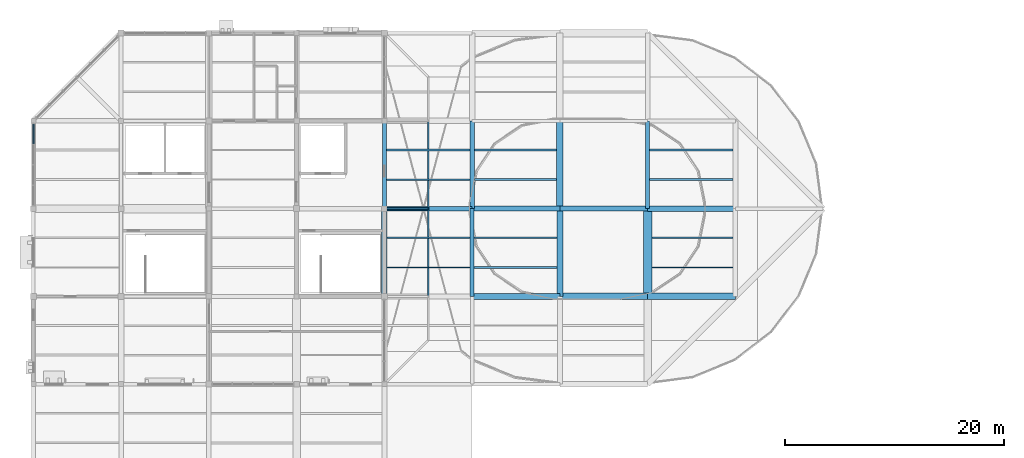
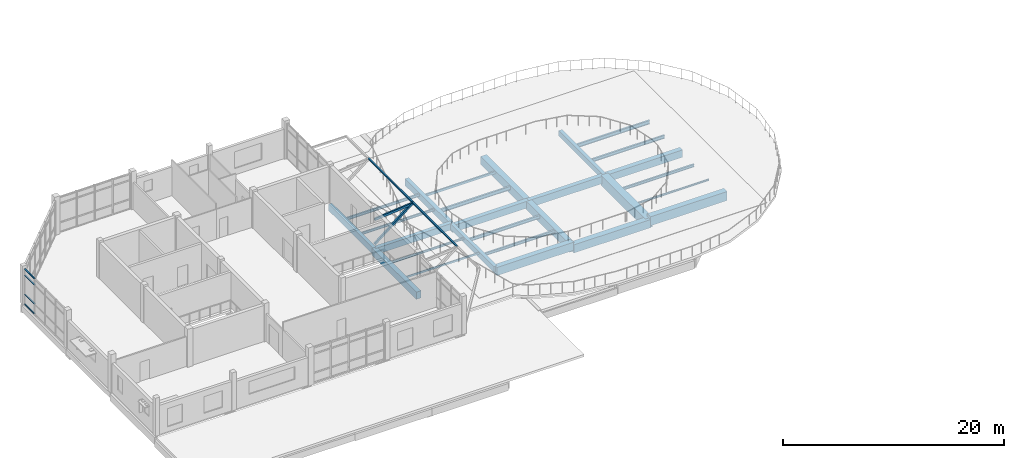
# One storey, part 15 of 44: 28 beams, 7 members, 1 element without a shape of its own.
"""IFC4 building model written with IfcOpenShell, lengths in metres."""

from ifc_helpers import new_model, si_unit, direction, frame, origin, origin_2d, place, context, subcontext, project, spatial, rectangle, hollow_rectangle, i_section, extrude, material, material_profile, profile_set, type_object, element, aggregate, save


model = new_model("IFC4")

# Units and contexts
model_context = context("Model", 3, precision=1e-05, world=origin(), true_north=direction((0.0, 1.0)))
body_context = subcontext(model_context, "Body", "Model", "MODEL_VIEW")
ifc_project = project(units=[si_unit("LENGTHUNIT", "METRE"), si_unit("AREAUNIT", "SQUARE_METRE"), si_unit("VOLUMEUNIT", "CUBIC_METRE"), si_unit("PLANEANGLEUNIT", "RADIAN"), si_unit("MASSUNIT", "GRAM", prefix="KILO")], contexts=[model_context])

# Site, building, storey
site_placement = place(None, origin())
site = spatial("IfcSite", under=ifc_project, at=site_placement, CompositionType="ELEMENT")
building_placement = place(site_placement, origin())
building = spatial("IfcBuilding", under=site, at=building_placement, Name="Tenunan Teduh Sports Hall", CompositionType="ELEMENT")
storey_placement = place(building_placement, frame((0.0, 0.0, 19.199951171875)))
storey = spatial("IfcBuildingStorey", under=building, at=storey_placement, Name="L04", CompositionType="ELEMENT", Elevation=19.199951171875)

# Beams
ifc_material_1 = material(Name="Concrete C40/50", Category="concrete")
ifc_material_profile_1 = material_profile(ifc_material_1, rectangle(XDim=0.35009765625, YDim=0.60009765625, at=origin_2d()), Name="RCB 350x600")
ifc_profile_set_1 = profile_set([ifc_material_profile_1], Name="Concrete C40/50")
beam_type_1 = type_object("IfcBeamType", Name="BM-RC-350x600", PredefinedType="BEAM", material=ifc_profile_set_1)
beam_1_placement = place(storey_placement, frame((62.0, 102.0, -0.869873046875), z_axis=(0.0, 1.0, 0.0), x_axis=(-1.0, 0.0, 0.0)))
element("IfcBeam", 1, at=beam_1_placement, inside=storey, type_object=beam_type_1, Name="BM-B-04-L04-2106", PredefinedType="BEAM", context=body_context, shape_type="SweptSolid", body=[
    extrude(rectangle(XDim=0.35009765625, YDim=0.60009765625, at=origin_2d()), origin(), (0.0, 0.0, 1.0), 8.0),
])
ifc_material_2 = material(Name="Concrete C40/50", Category="concrete")
ifc_material_profile_2 = material_profile(ifc_material_2, rectangle(XDim=0.35009765625, YDim=0.64990234375, at=origin_2d()), Name="RCB 350x650")
ifc_profile_set_2 = profile_set([ifc_material_profile_2], Name="Concrete C40/50")
beam_type_2 = type_object("IfcBeamType", Name="BM-RC-350x650", PredefinedType="BEAM", material=ifc_profile_set_2)
beam_2_placement = place(storey_placement, frame((46.0, 94.0, -0.594970703125), z_axis=(0.0, 1.0, 0.0), x_axis=(-1.0, 0.0, 0.0)))
element("IfcBeam", 2, at=beam_2_placement, inside=storey, type_object=beam_type_2, Name="BM-B-05-L04-2093", PredefinedType="BEAM", context=body_context, shape_type="SweptSolid", body=[
    extrude(rectangle(XDim=0.35009765625, YDim=0.64990234375, at=origin_2d()), origin(), (0.0, 0.0, 1.0), 8.0),
])
ifc_material_3 = material(Name="Concrete C40/50", Category="concrete")
ifc_material_profile_3 = material_profile(ifc_material_3, rectangle(XDim=0.39990234375, YDim=0.699951171875, at=origin_2d()), Name="RCB 400x700")
ifc_profile_set_3 = profile_set([ifc_material_profile_3], Name="Concrete C40/50")
beam_type_3 = type_object("IfcBeamType", Name="BM-RC-400x700", PredefinedType="BEAM", material=ifc_profile_set_3)
beam_3_placement = place(storey_placement, frame((38.0, 102.0, -0.619873046875), z_axis=(1.0, 0.0, 0.0), x_axis=(0.0, 1.0, 0.0)))
element("IfcBeam", 3, at=beam_3_placement, inside=storey, type_object=beam_type_3, Name="BM-B-08-L04-2045", PredefinedType="BEAM", context=body_context, shape_type="SweptSolid", body=[
    extrude(rectangle(XDim=0.39990234375, YDim=0.699951171875, at=origin_2d()), origin(), (0.0, 0.0, 1.0), 8.0),
])
ifc_material_4 = material(Name="Concrete C40/50", Category="concrete")
ifc_material_profile_4 = material_profile(ifc_material_4, rectangle(XDim=0.39990234375, YDim=0.75, at=origin_2d()), Name="RCB 400x750")
ifc_profile_set_4 = profile_set([ifc_material_profile_4], Name="Concrete C40/50")
beam_type_4 = type_object("IfcBeamType", Name="BM-RC-400x750", PredefinedType="BEAM", material=ifc_profile_set_4)
beam_4_placement = place(storey_placement, frame((46.0, 102.0, -0.64501953125), z_axis=(0.0, 1.0, 0.0), x_axis=(-1.0, 0.0, 0.0)))
element("IfcBeam", 4, at=beam_4_placement, inside=storey, type_object=beam_type_4, Name="BM-B-09-L04-2094", PredefinedType="BEAM", context=body_context, shape_type="SweptSolid", body=[
    extrude(rectangle(XDim=0.39990234375, YDim=0.75, at=origin_2d()), origin(), (0.0, 0.0, 1.0), 8.0),
])
ifc_material_5 = material(Name="Concrete C40/50", Category="concrete")
ifc_material_profile_5 = material_profile(ifc_material_5, rectangle(XDim=0.449951171875, YDim=0.75, at=origin_2d()), Name="RCB 450x750")
ifc_profile_set_5 = profile_set([ifc_material_profile_5], Name="Concrete C40/50")
beam_type_5 = type_object("IfcBeamType", Name="BM-RC-450x750", PredefinedType="BEAM", material=ifc_profile_set_5)
beam_5_placement = place(storey_placement, frame((46.0, 102.0, -0.945068359375), z_axis=(1.0, 0.0, 0.0), x_axis=(0.0, 1.0, 0.0)))
element("IfcBeam", 5, at=beam_5_placement, inside=storey, type_object=beam_type_5, Name="BM-B-11-L04-2046", PredefinedType="BEAM", context=body_context, shape_type="SweptSolid", body=[
    extrude(rectangle(XDim=0.449951171875, YDim=0.75, at=origin_2d()), origin(), (0.0, 0.0, 1.0), 8.0),
])
ifc_material_6 = material(Name="Concrete C40/50", Category="concrete")
ifc_material_profile_6 = material_profile(ifc_material_6, rectangle(XDim=0.449951171875, YDim=0.800048828125, at=origin_2d()), Name="RCB 450x800")
ifc_profile_set_6 = profile_set([ifc_material_profile_6], Name="Concrete C40/50")
beam_type_6 = type_object("IfcBeamType", Name="BM-RC-450x800", PredefinedType="BEAM", material=ifc_profile_set_6)
beam_6_placement = place(storey_placement, frame((54.0, 102.0, -0.969970703125), z_axis=(1.0, 0.0, 0.0), x_axis=(0.0, 1.0, 0.0)))
element("IfcBeam", 6, at=beam_6_placement, inside=storey, type_object=beam_type_6, Name="BM-B-12-L04-2047", PredefinedType="BEAM", context=body_context, shape_type="SweptSolid", body=[
    extrude(rectangle(XDim=0.449951171875, YDim=0.800048828125, at=origin_2d()), origin(), (0.0, 0.0, 1.0), 8.0),
])
ifc_material_7 = material(Name="Concrete C40/50", Category="concrete")
ifc_material_profile_7 = material_profile(ifc_material_7, rectangle(XDim=0.5, YDim=0.800048828125, at=origin_2d()), Name="RCB 500x800")
ifc_profile_set_7 = profile_set([ifc_material_profile_7], Name="Concrete C40/50")
beam_type_7 = type_object("IfcBeamType", Name="BM-RC-500x800", PredefinedType="BEAM", material=ifc_profile_set_7)
for number, where, z_axis, x_axis, name in (
    (7, (62.0, 102.0, -0.969970703125), (1.0, 0.0, 0.0), (0.0, 1.0, 0.0), "BM-B-14-L04-2048"),
    (8, (38.0, 94.0, -0.669921875), (0.0, 1.0, 0.0), (-1.0, 0.0, 0.0), "BM-B-14-L04-2089"),
):
    element("IfcBeam", number, at=place(storey_placement, frame(where, z_axis=z_axis, x_axis=x_axis)), inside=storey, type_object=beam_type_7, Name=name, PredefinedType="BEAM", context=body_context, shape_type="SweptSolid", body=[
        extrude(rectangle(XDim=0.5, YDim=0.800048828125, at=origin_2d()), origin(), (0.0, 0.0, 1.0), 8.0),
    ])
ifc_material_8 = material(Name="Concrete C40/50", Category="concrete")
ifc_material_profile_8 = material_profile(ifc_material_8, rectangle(XDim=0.550048828125, YDim=0.89990234375, at=origin_2d()), Name="RCB 550x900")
ifc_profile_set_8 = profile_set([ifc_material_profile_8], Name="Concrete C40/50")
beam_type_8 = type_object("IfcBeamType", Name="BM-RC-550x900", PredefinedType="BEAM", material=ifc_profile_set_8)
for number, where, z_axis, x_axis, name in (
    (9, (46.0, 94.0, -0.719970703125), (1.0, 0.0, 0.0), (0.0, 1.0, 0.0), "BM-B-16-L04-2038"),
    (10, (54.0, 94.0, -1.02001953125), (0.0, 1.0, 0.0), (-1.0, 0.0, 0.0), "BM-B-16-L04-2101"),
):
    element("IfcBeam", number, at=place(storey_placement, frame(where, z_axis=z_axis, x_axis=x_axis)), inside=storey, type_object=beam_type_8, Name=name, PredefinedType="BEAM", context=body_context, shape_type="SweptSolid", body=[
        extrude(rectangle(XDim=0.550048828125, YDim=0.89990234375, at=origin_2d()), origin(), (0.0, 0.0, 1.0), 8.0),
    ])
ifc_material_9 = material(Name="Concrete C40/50", Category="concrete")
ifc_material_profile_9 = material_profile(ifc_material_9, rectangle(XDim=0.60009765625, YDim=1.0, at=origin_2d()), Name="RCB 600x1000")
ifc_profile_set_9 = profile_set([ifc_material_profile_9], Name="Concrete C40/50")
beam_type_9 = type_object("IfcBeamType", Name="BM-RC-600x1000", PredefinedType="BEAM", material=ifc_profile_set_9)
beam_7_placement = place(storey_placement, frame((62.0, 94.0, -0.77001953125), z_axis=(1.0, 0.0, 0.0), x_axis=(0.0, 1.0, 0.0)))
element("IfcBeam", 11, at=beam_7_placement, inside=storey, type_object=beam_type_9, Name="BM-B-18-L04-2040", PredefinedType="BEAM", context=body_context, shape_type="SweptSolid", body=[
    extrude(rectangle(XDim=0.60009765625, YDim=1.0, at=origin_2d()), origin(), (0.0, 0.0, 1.0), 8.0),
])
ifc_material_10 = material(Name="Concrete C40/50", Category="concrete")
ifc_material_profile_10 = material_profile(ifc_material_10, rectangle(XDim=0.60009765625, YDim=0.89990234375, at=origin_2d()), Name="RCB 600x900")
ifc_profile_set_10 = profile_set([ifc_material_profile_10], Name="Concrete C40/50")
beam_type_10 = type_object("IfcBeamType", Name="BM-RC-600x900", PredefinedType="BEAM", material=ifc_profile_set_10)
for number, where, z_axis, x_axis, name in (
    (12, (54.0, 94.0, -1.02001953125), (1.0, 0.0, 0.0), (0.0, 1.0, 0.0), "BM-B-17-L04-2039"),
    (13, (54.0, 102.0, -1.02001953125), (0.0, 1.0, 0.0), (-1.0, 0.0, 0.0), "BM-B-17-L04-2102"),
):
    element("IfcBeam", number, at=place(storey_placement, frame(where, z_axis=z_axis, x_axis=x_axis)), inside=storey, type_object=beam_type_10, Name=name, PredefinedType="BEAM", context=body_context, shape_type="SweptSolid", body=[
        extrude(rectangle(XDim=0.60009765625, YDim=0.89990234375, at=origin_2d()), origin(), (0.0, 0.0, 1.0), 8.0),
    ])
ifc_material_11 = material(Name="Concrete C40/50", Category="concrete")
ifc_material_profile_11 = material_profile(ifc_material_11, rectangle(XDim=0.75, YDim=1.10009765625, at=origin_2d()), Name="RCB 750x1100")
ifc_profile_set_11 = profile_set([ifc_material_profile_11], Name="Concrete C40/50")
beam_type_11 = type_object("IfcBeamType", Name="BM-RC-750x1100", PredefinedType="SPANDREL", material=ifc_profile_set_11)
beam_8_placement = place(storey_placement, frame((62.0, 94.0, -1.119873046875), z_axis=(0.0, 1.0, 0.0), x_axis=(-1.0, 0.0, 0.0)))
element("IfcBeam", 14, at=beam_8_placement, inside=storey, type_object=beam_type_11, Name="BM-B-20-L04-2105", PredefinedType="SPANDREL", context=body_context, shape_type="SweptSolid", body=[
    extrude(rectangle(XDim=0.75, YDim=1.10009765625, at=origin_2d()), origin(), (0.0, 0.0, 1.0), 8.0),
])
ifc_material_12 = material(Name="Concrete C40/50", Category="concrete")
ifc_material_profile_12 = material_profile(ifc_material_12, rectangle(XDim=0.35009765625, YDim=0.719970703125, at=origin_2d()), Name="TB 350x720")
ifc_profile_set_12 = profile_set([ifc_material_profile_12], Name="Concrete C40/50")
beam_type_12 = type_object("IfcBeamType", Name="BM-TB-350x720", PredefinedType="T_BEAM", material=ifc_profile_set_12)
beam_9_placement = place(storey_placement, frame((38.0, 102.0, -0.6298828125), z_axis=(0.0, 1.0, 0.0), x_axis=(-1.0, 0.0, 0.0)))
element("IfcBeam", 15, at=beam_9_placement, inside=storey, type_object=beam_type_12, Name="BM-TB-01-L04-2090", PredefinedType="T_BEAM", context=body_context, shape_type="SweptSolid", body=[
    extrude(rectangle(XDim=0.35009765625, YDim=0.719970703125, at=origin_2d()), origin(), (0.0, 0.0, 1.0), 8.0),
])

# Curtain wall, members
ifc_material_13 = material(Name="Anodised aluminium", Category="aluminium")
curtain_wall_type = type_object("IfcCurtainWallType", Name="CW-UNIT-2", PredefinedType="NOTDEFINED", material=ifc_material_13)
curtain_wall_placement = place(storey_placement, origin())
curtain_wall = element("IfcCurtainWall", 16, at=curtain_wall_placement, inside=storey, type_object=curtain_wall_type, Name="CW-CWM-175-L04-234", PredefinedType="NOTDEFINED")
ifc_material_14 = material(Name="Anodised aluminium", Category="aluminium")
ifc_material_profile_13 = material_profile(ifc_material_14, rectangle(XDim=0.06494140625, YDim=0.139892578125, at=origin_2d()), Name="CWT 65x140")
ifc_profile_set_13 = profile_set([ifc_material_profile_13], Name="Anodised aluminium")
member_type_1 = type_object("IfcMemberType", Name="CWT-150", PredefinedType="USERDEFINED", material=ifc_profile_set_13)
member_1_placement = place(storey_placement, frame((6.0, 107.92626953125, 0.032470703125), z_axis=(0.0, 1.0, 0.0), x_axis=(0.0, 0.0, 1.0)))
member_1 = element("IfcMember", 17, at=member_1_placement, type_object=member_type_1, Name="CW-02 transom 4.1", ObjectType="TRANSOM", PredefinedType="USERDEFINED", context=body_context, shape_type="SweptSolid", body=[
    extrude(rectangle(XDim=0.06494140625, YDim=0.139892578125, at=origin_2d()), origin(), (0.0, 0.0, 1.0), 1.78369140625),
])
member_2_placement = place(storey_placement, frame((6.0, 107.92626953125, 1.10009765625), z_axis=(0.0, 1.0, 0.0), x_axis=(0.0, 0.0, 1.0)))
member_2 = element("IfcMember", 18, at=member_2_placement, type_object=member_type_1, Name="CW-02 transom 4.2", ObjectType="TRANSOM", PredefinedType="USERDEFINED", context=body_context, shape_type="SweptSolid", body=[
    extrude(rectangle(XDim=0.06494140625, YDim=0.139892578125, at=origin_2d()), origin(), (0.0, 0.0, 1.0), 1.78369140625),
])
member_3_placement = place(storey_placement, frame((6.0, 107.92626953125, 3.199951171875), z_axis=(0.0, 1.0, 0.0), x_axis=(0.0, 0.0, 1.0)))
member_3 = element("IfcMember", 19, at=member_3_placement, type_object=member_type_1, Name="CW-02 transom 4.3", ObjectType="TRANSOM", PredefinedType="USERDEFINED", context=body_context, shape_type="SweptSolid", body=[
    extrude(rectangle(XDim=0.06494140625, YDim=0.139892578125, at=origin_2d()), origin(), (0.0, 0.0, 1.0), 1.78369140625),
])
member_4_placement = place(storey_placement, frame((6.0, 107.92626953125, 3.887451171875), z_axis=(0.0, 1.0, 0.0), x_axis=(0.0, 0.0, 1.0)))
member_4 = element("IfcMember", 20, at=member_4_placement, type_object=member_type_1, Name="CW-02 transom 4.4", ObjectType="TRANSOM", PredefinedType="USERDEFINED", context=body_context, shape_type="SweptSolid", body=[
    extrude(rectangle(XDim=0.06494140625, YDim=0.139892578125, at=origin_2d()), origin(), (0.0, 0.0, 1.0), 1.78369140625),
])
aggregate(curtain_wall, [member_1, member_2, member_3, member_4])

# Beams
ifc_material_15 = material(Name="Steel S355", Category="steel")
ifc_material_profile_14 = material_profile(ifc_material_15, i_section(OverallWidth=0.10009765625, OverallDepth=0.199951171875, WebThickness=0.005615234375, FlangeThickness=0.008544921875, FilletRadius=0.011962890625, at=origin_2d()), Name="IPE 200")
ifc_profile_set_14 = profile_set([ifc_material_profile_14], Name="Steel S355")
beam_type_13 = type_object("IfcBeamType", Name="JST-IPE200", PredefinedType="JOIST", material=ifc_profile_set_14)
beam_10_placement = place(storey_placement, frame((62.375, 96.64990234375, -0.669921875), z_axis=(1.0, 0.0, 0.0), x_axis=(0.0, 1.0, 0.0)))
element("IfcBeam", 21, at=beam_10_placement, inside=storey, type_object=beam_type_13, Name="BM-J-01-L04-2158", PredefinedType="JOIST", context=body_context, shape_type="SweptSolid", body=[
    extrude(i_section(OverallWidth=0.10009765625, OverallDepth=0.199951171875, WebThickness=0.005615234375, FlangeThickness=0.008544921875, FilletRadius=0.011962890625, at=origin_2d()), origin(), (0.0, 0.0, 1.0), 7.425048828125),
])
ifc_material_16 = material(Name="Steel S355", Category="steel")
ifc_material_profile_15 = material_profile(ifc_material_16, i_section(OverallWidth=0.1201171875, OverallDepth=0.239990234375, WebThickness=0.006103515625, FlangeThickness=0.009765625, FilletRadius=0.014892578125, at=origin_2d()), Name="IPE 240")
ifc_profile_set_15 = profile_set([ifc_material_profile_15], Name="Steel S355")
beam_type_14 = type_object("IfcBeamType", Name="JST-IPE240", PredefinedType="JOIST", material=ifc_profile_set_15)
beam_11_placement = place(storey_placement, frame((38.25, 99.35009765625, -0.389892578125), z_axis=(1.0, 0.0, 0.0), x_axis=(0.0, 1.0, 0.0)))
element("IfcBeam", 22, at=beam_11_placement, inside=storey, type_object=beam_type_14, Name="BM-J-02-L04-2142", PredefinedType="JOIST", context=body_context, shape_type="SweptSolid", body=[
    extrude(i_section(OverallWidth=0.1201171875, OverallDepth=0.239990234375, WebThickness=0.006103515625, FlangeThickness=0.009765625, FilletRadius=0.014892578125, at=origin_2d()), origin(), (0.0, 0.0, 1.0), 7.574951171875),
])
ifc_material_17 = material(Name="Steel S355", Category="steel")
ifc_material_profile_16 = material_profile(ifc_material_17, i_section(OverallWidth=0.135009765625, OverallDepth=0.27001953125, WebThickness=0.006591796875, FlangeThickness=0.01025390625, FilletRadius=0.014892578125, at=origin_2d()), Name="IPE 270")
ifc_profile_set_16 = profile_set([ifc_material_profile_16], Name="Steel S355")
beam_type_15 = type_object("IfcBeamType", Name="JST-IPE270", PredefinedType="JOIST", material=ifc_profile_set_16)
beam_12_placement = place(storey_placement, frame((38.175048828125, 104.64990234375, -0.405029296875), z_axis=(1.0, 0.0, 0.0), x_axis=(0.0, 1.0, 0.0)))
element("IfcBeam", 23, at=beam_12_placement, inside=storey, type_object=beam_type_15, Name="BM-J-03-L04-2143", PredefinedType="JOIST", context=body_context, shape_type="SweptSolid", body=[
    extrude(i_section(OverallWidth=0.135009765625, OverallDepth=0.27001953125, WebThickness=0.006591796875, FlangeThickness=0.01025390625, FilletRadius=0.014892578125, at=origin_2d()), origin(), (0.0, 0.0, 1.0), 7.625),
])
ifc_material_18 = material(Name="Steel S355", Category="steel")
ifc_material_profile_17 = material_profile(ifc_material_18, i_section(OverallWidth=0.14990234375, OverallDepth=0.300048828125, WebThickness=0.007080078125, FlangeThickness=0.0107421875, FilletRadius=0.014892578125, at=origin_2d()), Name="IPE 300")
ifc_profile_set_17 = profile_set([ifc_material_profile_17], Name="Steel S355")
beam_type_16 = type_object("IfcBeamType", Name="JST-IPE300", PredefinedType="JOIST", material=ifc_profile_set_17)
beam_13_placement = place(storey_placement, frame((38.175048828125, 107.35009765625, -0.419921875), z_axis=(1.0, 0.0, 0.0), x_axis=(0.0, 1.0, 0.0)))
element("IfcBeam", 24, at=beam_13_placement, inside=storey, type_object=beam_type_16, Name="BM-J-04-L04-2144", PredefinedType="JOIST", context=body_context, shape_type="SweptSolid", body=[
    extrude(i_section(OverallWidth=0.14990234375, OverallDepth=0.300048828125, WebThickness=0.007080078125, FlangeThickness=0.0107421875, FilletRadius=0.014892578125, at=origin_2d()), origin(), (0.0, 0.0, 1.0), 7.625),
])

# Members
ifc_material_19 = material(Name="Steel S355", Category="steel")
ifc_material_profile_18 = material_profile(ifc_material_19, hollow_rectangle(XDim=0.14990234375, YDim=0.14990234375, WallThickness=0.008056640625, at=origin_2d()), Name="SHS 150x150x8.0")
ifc_profile_set_18 = profile_set([ifc_material_profile_18], Name="Steel S355")
member_type_2 = type_object("IfcMemberType", Name="MEM-PR-SHS150", PredefinedType="PURLIN", material=ifc_profile_set_18)
for number, where, z_axis, x_axis, name in (
    (25, (42.0, 94.0, 3.300048828125), (0.0, 1.0, 0.0), (-1.0, 0.0, 0.0), "MEM-PR-01-L04-1039"),
    (26, (42.0, 102.0, 3.300048828125), (0.0, 1.0, 0.0), (-1.0, 0.0, 0.0), "MEM-PR-01-L04-1040"),
):
    element("IfcMember", number, at=place(storey_placement, frame(where, z_axis=z_axis, x_axis=x_axis)), inside=storey, type_object=member_type_2, Name=name, PredefinedType="PURLIN", context=body_context, shape_type="SweptSolid", body=[
        extrude(hollow_rectangle(XDim=0.14990234375, YDim=0.14990234375, WallThickness=0.008056640625, at=origin_2d()), origin(), (0.0, 0.0, 1.0), 8.0),
    ])
ifc_material_20 = material(Name="Steel S355", Category="steel")
ifc_material_profile_19 = material_profile(ifc_material_20, hollow_rectangle(XDim=0.199951171875, YDim=0.199951171875, WallThickness=0.010009765625, at=origin_2d()), Name="SHS 200x200x10.0")
ifc_profile_set_19 = profile_set([ifc_material_profile_19], Name="Steel S355")
member_type_3 = type_object("IfcMemberType", Name="MEM-ST-SHS200", PredefinedType="STRUT", material=ifc_profile_set_19)
member_5_placement = place(storey_placement, frame((38.0, 102.0, 0.10009765625), z_axis=(0.780873459249, 0.0, 0.624689235253), x_axis=(0.0, 1.0, 0.0)))
element("IfcMember", 27, at=member_5_placement, inside=storey, type_object=member_type_3, Name="MEM-VS-02-L04-1036", PredefinedType="STRUT", context=body_context, shape_type="SweptSolid", body=[
    extrude(hollow_rectangle(XDim=0.199951171875, YDim=0.199951171875, WallThickness=0.010009765625, at=origin_2d()), origin(), (0.0, 0.0, 1.0), 5.12255859375),
])

# Beams
ifc_material_21 = material(Name="Steel S355", Category="steel")
ifc_material_profile_20 = material_profile(ifc_material_21, hollow_rectangle(XDim=0.10009765625, YDim=0.199951171875, WallThickness=0.008056640625, at=origin_2d()), Name="RHS 200x100x8.0")
ifc_profile_set_20 = profile_set([ifc_material_profile_20], Name="Steel S355")
beam_type_17 = type_object("IfcBeamType", Name="RBM-RHS200", PredefinedType="JOIST", material=ifc_profile_set_20)
beam_14_placement = place(storey_placement, frame((38.25, 96.64990234375, -0.369873046875), z_axis=(1.0, 0.0, 0.0), x_axis=(0.0, 1.0, 0.0)))
element("IfcBeam", 28, at=beam_14_placement, inside=storey, type_object=beam_type_17, Name="Perimeter Ring Beam BM-RB-05-L04-2141", PredefinedType="JOIST", context=body_context, shape_type="SweptSolid", body=[
    extrude(hollow_rectangle(XDim=0.10009765625, YDim=0.199951171875, WallThickness=0.008056640625, at=origin_2d()), origin(), (0.0, 0.0, 1.0), 7.574951171875),
])
ifc_material_22 = material(Name="Steel S355", Category="steel")
ifc_material_profile_21 = material_profile(ifc_material_22, hollow_rectangle(XDim=0.14990234375, YDim=0.25, WallThickness=0.010009765625, at=origin_2d()), Name="RHS 250x150x10.0")
ifc_profile_set_21 = profile_set([ifc_material_profile_21], Name="Steel S355")
beam_type_18 = type_object("IfcBeamType", Name="RBM-RHS250", PredefinedType="BEAM", material=ifc_profile_set_21)
beam_15_placement = place(storey_placement, frame((38.0, 102.0, 2.820068359375), z_axis=(0.995520561602, 0.0, 0.094545287711), x_axis=(0.0, 1.0, 0.0)))
element("IfcBeam", 29, at=beam_15_placement, inside=storey, type_object=beam_type_18, Name="Perimeter Ring Beam BM-RB-04-L04-0585", PredefinedType="BEAM", context=body_context, shape_type="SweptSolid", body=[
    extrude(hollow_rectangle(XDim=0.14990234375, YDim=0.25, WallThickness=0.010009765625, at=origin_2d()), origin(), (0.0, 0.0, 1.0), 4.01806640625),
])
beam_16_placement = place(storey_placement, frame((46.199951171875, 107.35009765625, -0.695068359375), z_axis=(1.0, 0.0, 0.0), x_axis=(0.0, 1.0, 0.0)))
element("IfcBeam", 30, at=beam_16_placement, inside=storey, type_object=beam_type_18, Name="Perimeter Ring Beam BM-RB-04-L04-2151", PredefinedType="BEAM", context=body_context, shape_type="SweptSolid", body=[
    extrude(hollow_rectangle(XDim=0.14990234375, YDim=0.25, WallThickness=0.010009765625, at=origin_2d()), origin(), (0.0, 0.0, 1.0), 7.5),
])
ifc_material_23 = material(Name="Steel S355", Category="steel")
ifc_material_profile_22 = material_profile(ifc_material_23, i_section(OverallWidth=0.1650390625, OverallDepth=0.303466796875, WebThickness=0.006103515625, FlangeThickness=0.01025390625, FilletRadius=0.0087890625, at=origin_2d()), Name="UKB 305x165x40")
ifc_profile_set_22 = profile_set([ifc_material_profile_22], Name="Steel S355")
beam_type_19 = type_object("IfcBeamType", Name="SBM-UKB305", PredefinedType="BEAM", material=ifc_profile_set_22)
beam_17_placement = place(storey_placement, frame((46.175048828125, 96.64990234375, -0.7216796875), z_axis=(1.0, 0.0, 0.0), x_axis=(0.0, 1.0, 0.0)))
element("IfcBeam", 31, at=beam_17_placement, inside=storey, type_object=beam_type_19, Name="BM-SB-01-L04-2148", PredefinedType="BEAM", context=body_context, shape_type="SweptSolid", body=[
    extrude(i_section(OverallWidth=0.1650390625, OverallDepth=0.303466796875, WebThickness=0.006103515625, FlangeThickness=0.01025390625, FilletRadius=0.0087890625, at=origin_2d()), origin(), (0.0, 0.0, 1.0), 7.550048828125),
])
beam_18_placement = place(storey_placement, frame((62.375, 99.35009765625, -0.7216796875), z_axis=(1.0, 0.0, 0.0), x_axis=(0.0, 1.0, 0.0)))
element("IfcBeam", 32, at=beam_18_placement, inside=storey, type_object=beam_type_19, Name="BM-SB-01-L04-2159", PredefinedType="BEAM", context=body_context, shape_type="SweptSolid", body=[
    extrude(i_section(OverallWidth=0.1650390625, OverallDepth=0.303466796875, WebThickness=0.006103515625, FlangeThickness=0.01025390625, FilletRadius=0.0087890625, at=origin_2d()), origin(), (0.0, 0.0, 1.0), 7.425048828125),
])
ifc_material_24 = material(Name="Steel S355", Category="steel")
ifc_material_profile_23 = material_profile(ifc_material_24, i_section(OverallWidth=0.17138671875, OverallDepth=0.35498046875, WebThickness=0.00732421875, FlangeThickness=0.011474609375, FilletRadius=0.01025390625, at=origin_2d()), Name="UKB 356x171x51")
ifc_profile_set_23 = profile_set([ifc_material_profile_23], Name="Steel S355")
beam_type_20 = type_object("IfcBeamType", Name="SBM-UKB356", PredefinedType="BEAM", material=ifc_profile_set_23)
beam_19_placement = place(storey_placement, frame((46.175048828125, 99.35009765625, -0.74755859375), z_axis=(1.0, 0.0, 0.0), x_axis=(0.0, 1.0, 0.0)))
element("IfcBeam", 33, at=beam_19_placement, inside=storey, type_object=beam_type_20, Name="BM-SB-02-L04-2149", PredefinedType="BEAM", context=body_context, shape_type="SweptSolid", body=[
    extrude(i_section(OverallWidth=0.17138671875, OverallDepth=0.35498046875, WebThickness=0.00732421875, FlangeThickness=0.011474609375, FilletRadius=0.01025390625, at=origin_2d()), origin(), (0.0, 0.0, 1.0), 7.550048828125),
])
beam_20_placement = place(storey_placement, frame((62.175048828125, 104.64990234375, -0.74755859375), z_axis=(1.0, 0.0, 0.0), x_axis=(0.0, 1.0, 0.0)))
element("IfcBeam", 34, at=beam_20_placement, inside=storey, type_object=beam_type_20, Name="BM-SB-02-L04-2160", PredefinedType="BEAM", context=body_context, shape_type="SweptSolid", body=[
    extrude(i_section(OverallWidth=0.17138671875, OverallDepth=0.35498046875, WebThickness=0.00732421875, FlangeThickness=0.011474609375, FilletRadius=0.01025390625, at=origin_2d()), origin(), (0.0, 0.0, 1.0), 7.599853515625),
])
ifc_material_25 = material(Name="Steel S355", Category="steel")
ifc_material_profile_24 = material_profile(ifc_material_25, i_section(OverallWidth=0.177978515625, OverallDepth=0.406494140625, WebThickness=0.0078125, FlangeThickness=0.0126953125, FilletRadius=0.01025390625, at=origin_2d()), Name="UKB 406x178x60")
ifc_profile_set_24 = profile_set([ifc_material_profile_24], Name="Steel S355")
beam_type_21 = type_object("IfcBeamType", Name="SBM-UKB406", PredefinedType="BEAM", material=ifc_profile_set_24)
beam_21_placement = place(storey_placement, frame((46.199951171875, 104.64990234375, -0.773193359375), z_axis=(1.0, 0.0, 0.0), x_axis=(0.0, 1.0, 0.0)))
element("IfcBeam", 35, at=beam_21_placement, inside=storey, type_object=beam_type_21, Name="BM-SB-03-L04-2150", PredefinedType="BEAM", context=body_context, shape_type="SweptSolid", body=[
    extrude(i_section(OverallWidth=0.177978515625, OverallDepth=0.406494140625, WebThickness=0.0078125, FlangeThickness=0.0126953125, FilletRadius=0.01025390625, at=origin_2d()), origin(), (0.0, 0.0, 1.0), 7.5),
])
beam_22_placement = place(storey_placement, frame((62.175048828125, 107.35009765625, -0.773193359375), z_axis=(1.0, 0.0, 0.0), x_axis=(0.0, 1.0, 0.0)))
element("IfcBeam", 36, at=beam_22_placement, inside=storey, type_object=beam_type_21, Name="BM-SB-03-L04-2161", PredefinedType="BEAM", context=body_context, shape_type="SweptSolid", body=[
    extrude(i_section(OverallWidth=0.177978515625, OverallDepth=0.406494140625, WebThickness=0.0078125, FlangeThickness=0.0126953125, FilletRadius=0.01025390625, at=origin_2d()), origin(), (0.0, 0.0, 1.0), 7.599853515625),
])

save(model, "model.ifc")
